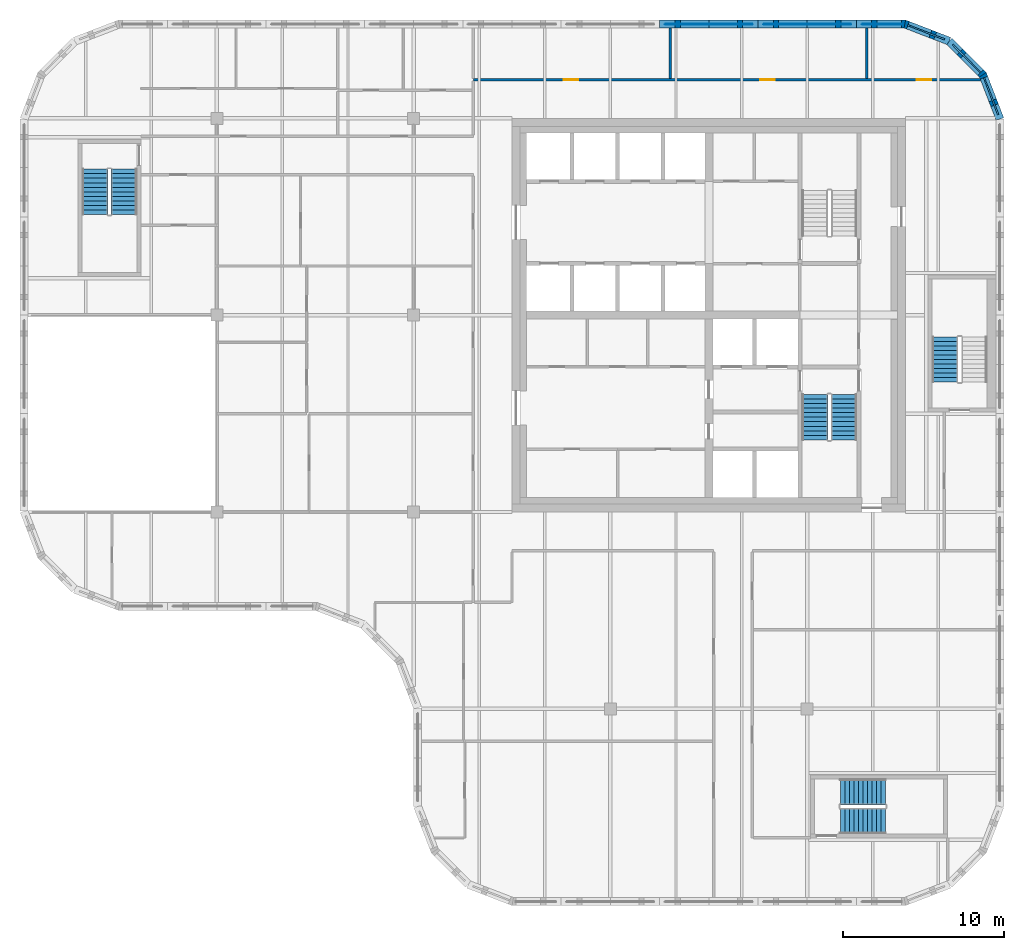
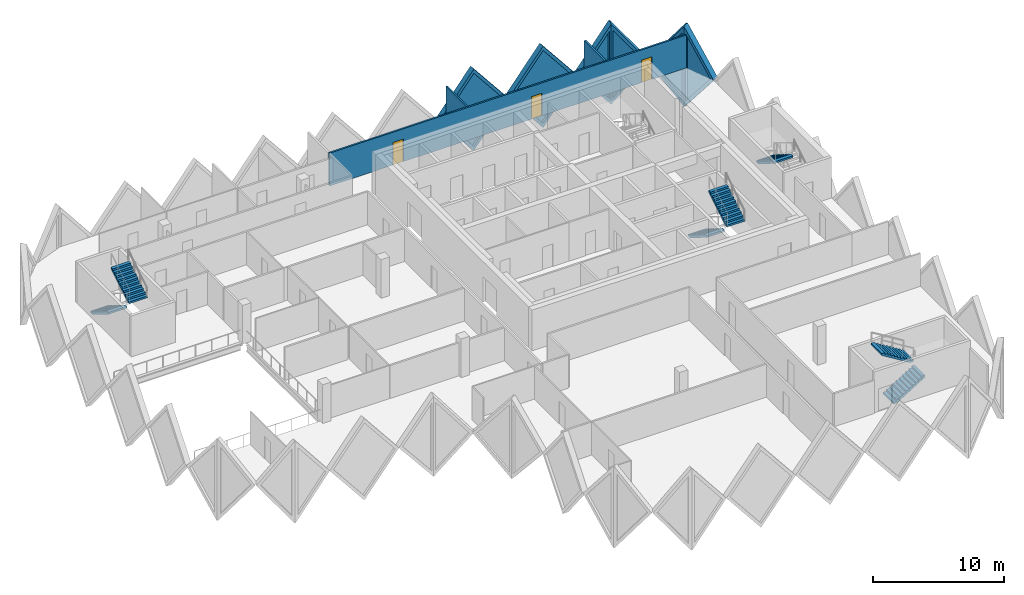
# One storey, part 10 of 12: 9 walls, 7 stair flights, 6 plates, 3 doors, 9 openings, 4 elements without a shape of their own.
"""IFC4 building model written with IfcOpenShell, lengths in metres."""

from ifc_helpers import new_model, si_unit, direction, frame, frame_2d, origin, place, context, subcontext, project, spatial, polyline, rectangle, outline, extrude, faceted_brep, source, transform, mapped, material, layer, layer_set, type_object, element, fill, aggregate, save


model = new_model("IFC4")

# Units and contexts
model_context = context("Model", 3, precision=1e-05, world=origin(), true_north=direction((0.0, 1.0)))
body_context = subcontext(model_context, "Body", "Model", "MODEL_VIEW")
ifc_project = project(units=[si_unit("LENGTHUNIT", "METRE"), si_unit("AREAUNIT", "SQUARE_METRE"), si_unit("VOLUMEUNIT", "CUBIC_METRE"), si_unit("PLANEANGLEUNIT", "RADIAN"), si_unit("MASSUNIT", "GRAM", prefix="KILO")], contexts=[model_context])

# Site, building, storey
site_placement = place(None, origin())
site = spatial("IfcSite", under=ifc_project, at=site_placement, CompositionType="ELEMENT")
building_placement = place(site_placement, origin())
building = spatial("IfcBuilding", under=site, at=building_placement, Name="Tessera Gate Towers", CompositionType="ELEMENT")
storey_placement = place(building_placement, frame((0.0, 0.0, 220.699951171875)))
storey = spatial("IfcBuildingStorey", under=building, at=storey_placement, Name="L55", CompositionType="ELEMENT", Elevation=220.699951171875)

# Wall, openings, doors
ifc_material_1 = material(Name="Gypsum board on steel studs, mineral wool", Category="steel")
ifc_layer_1 = layer(ifc_material_1, 0.14990234375)
ifc_layer_set_1 = layer_set([ifc_layer_1], Name="CORRIDOR WALL 150")
wall_type_1 = type_object("IfcWallType", Name="CORRIDOR WALL 150", PredefinedType="PARTITIONING", material=ifc_layer_set_1)
wall_1_placement = place(storey_placement, frame((28.10009765625, 51.199951171875, 0.0), z_axis=(0.0, 0.0, 1.0), x_axis=(1.0, 0.0, 0.0)))
wall_1 = element("IfcWall", 1, at=wall_1_placement, inside=storey, type_object=wall_type_1, Name="T1-L55-PW-052", PredefinedType="PARTITIONING", context=body_context, shape_type="SweptSolid", body=[
    extrude(rectangle(XDim=31.438232421875, YDim=0.14990234375, at=frame_2d((15.71923828125, 0.0))), origin(), (0.0, 0.0, 1.0), 3.067138671875),
])
shared_shape_1 = source(origin(), body_context, "Body", "SweptSolid", [
    extrude(rectangle(XDim=0.89990234375, YDim=2.10009765625, at=frame_2d((0.449951171875, 1.050048828125))), frame((0.0, 0.0849609375, 0.0), z_axis=(0.0, -1.0, 0.0), x_axis=(1.0, 0.0, 0.0)), (0.0, 0.0, 1.0), 0.169921875),
])
opening_1_placement = place(wall_1_placement, frame((27.5009765625, 0.0, 0.0)))
opening_1 = element("IfcOpeningElement", 2, at=opening_1_placement, cuts=wall_1, Name="Opening D890FD60-A20-05", PredefinedType="OPENING", context=body_context, shape_type="MappedRepresentation", body=[
    mapped(shared_shape_1, transform((0.0, 0.0, 0.0), scale=1.0)),
])
opening_2_placement = place(wall_1_placement, frame((5.60009765625, 0.0, 0.0)))
opening_2 = element("IfcOpeningElement", 3, at=opening_2_placement, cuts=wall_1, Name="Opening D890FD60-A20-09", PredefinedType="OPENING", context=body_context, shape_type="MappedRepresentation", body=[
    mapped(shared_shape_1, transform((0.0, 0.0, 0.0), scale=1.0)),
])
opening_3_placement = place(wall_1_placement, frame((17.800048828125, 0.0, 0.0)))
opening_3 = element("IfcOpeningElement", 4, at=opening_3_placement, cuts=wall_1, Name="Opening D890FD60-A20-11", PredefinedType="OPENING", context=body_context, shape_type="MappedRepresentation", body=[
    mapped(shared_shape_1, transform((0.0, 0.0, 0.0), scale=1.0)),
])
ifc_material_2 = material(Name="Timber door leaf in steel frame", Category="steel")
door_type = type_object("IfcDoorType", Name="CORRIDOR DOOR 900 FD60", OperationType="NOTDEFINED", PredefinedType="DOOR", material=ifc_material_2)
shared_shape_2 = source(origin(), body_context, "Body", "SweptSolid", [
    extrude(rectangle(XDim=0.89990234375, YDim=2.10009765625, at=frame_2d((0.449951171875, 1.050048828125))), frame((0.0, 0.02490234375, 0.0), z_axis=(0.0, -1.0, 0.0), x_axis=(1.0, 0.0, 0.0)), (0.0, 0.0, 1.0), 0.050048828125),
])
door_1_placement = place(opening_1_placement, origin())
door_1 = element("IfcDoor", 5, at=door_1_placement, inside=storey, type_object=door_type, Name="T1-L55-PD-017", OperationType="SINGLE_SWING_LEFT", OverallHeight=2.10009765625, OverallWidth=0.89990234375, PredefinedType="DOOR", context=body_context, shape_type="MappedRepresentation", body=[
    mapped(shared_shape_2, transform((0.0, 0.0, 0.0), scale=1.0)),
])
fill(opening_1, door_1)
door_2_placement = place(opening_2_placement, origin())
door_2 = element("IfcDoor", 6, at=door_2_placement, inside=storey, type_object=door_type, Name="T1-L55-PD-024", OperationType="SINGLE_SWING_LEFT", OverallHeight=2.10009765625, OverallWidth=0.89990234375, PredefinedType="DOOR", context=body_context, shape_type="MappedRepresentation", body=[
    mapped(shared_shape_2, transform((0.0, 0.0, 0.0), scale=1.0)),
])
fill(opening_2, door_2)
door_3_placement = place(opening_3_placement, origin())
door_3 = element("IfcDoor", 7, at=door_3_placement, inside=storey, type_object=door_type, Name="T1-L55-PD-026", OperationType="SINGLE_SWING_LEFT", OverallHeight=2.10009765625, OverallWidth=0.89990234375, PredefinedType="DOOR", context=body_context, shape_type="MappedRepresentation", body=[
    mapped(shared_shape_2, transform((0.0, 0.0, 0.0), scale=1.0)),
])
fill(opening_3, door_3)

# Walls
ifc_material_3 = material(Name="Gypsum board on steel studs, mineral wool", Category="steel")
ifc_layer_2 = layer(ifc_material_3, 0.14990234375)
ifc_layer_set_2 = layer_set([ifc_layer_2], Name="TENANCY WALL 150")
wall_type_2 = type_object("IfcWallType", Name="TENANCY WALL 150", PredefinedType="PARTITIONING", material=ifc_layer_set_2)
for number, where, z_axis, x_axis, name in (
    (8, (40.300048828125, 51.27587890625, 0.0), (0.0, 0.0, 1.0), (0.0, 1.0, 0.0), "T1-L55-PW-054"),
    (9, (52.5, 51.27587890625, 0.0), (0.0, 0.0, 1.0), (0.0, 1.0, 0.0), "T1-L55-PW-055"),
):
    element("IfcWall", number, at=place(storey_placement, frame(where, z_axis=z_axis, x_axis=x_axis)), inside=storey, type_object=wall_type_2, Name=name, PredefinedType="PARTITIONING", context=body_context, shape_type="SweptSolid", body=[
        extrude(rectangle(XDim=3.1240234375, YDim=0.14990234375, at=frame_2d((1.56201171875, 0.0))), origin(), (0.0, 0.0, 1.0), 3.067138671875),
    ])

# Wall, opening, plate
ifc_material_4 = material(Name="Precast concrete C60/75 white", Category="concrete")
ifc_layer_3 = layer(ifc_material_4, 0.5)
ifc_layer_set_3 = layer_set([ifc_layer_3], Name="TS1 tessera")
wall_type_3 = type_object("IfcWallType", Name="TS1 tessera", PredefinedType="SOLIDWALL", material=ifc_layer_set_3)
shared_shape_3 = source(origin(), body_context, "Body", "SweptSolid", [
    extrude(outline(polyline([(3.050048828125, 0.0), (6.10009765625, 3.800048828125), (3.050048828125, 7.60009765625), (0.0, 3.800048828125), (3.050048828125, 0.0)])), frame((0.0, 0.25, 0.0), z_axis=(0.0, -1.0, 0.0), x_axis=(1.0, 0.0, 0.0)), (0.0, 0.0, 1.0), 0.5),
])
wall_2_placement = place(storey_placement, frame((51.85009765625, 54.64990234375, -3.800048828125), z_axis=(0.0, 0.0, 1.0), x_axis=(-1.0, 0.0, 0.0)))
wall_2 = element("IfcWall", 10, at=wall_2_placement, inside=storey, type_object=wall_type_3, Name="Precast tessera T1 TS1-0976", PredefinedType="SOLIDWALL", context=body_context, shape_type="MappedRepresentation", body=[
    mapped(shared_shape_3, transform((0.0, 0.0, 0.0), scale=1.0)),
])
shared_shape_4 = source(origin(), body_context, "Body", "SweptSolid", [
    extrude(outline(polyline([(3.050048828125, 0.3994140625), (5.779541015625, 3.800048828125), (3.050048828125, 7.20068359375), (0.320556640625, 3.800048828125), (3.050048828125, 0.3994140625)])), frame((0.0, 0.260009765625, 0.0), z_axis=(0.0, -1.0, 0.0), x_axis=(1.0, 0.0, 0.0)), (0.0, 0.0, 1.0), 0.52001953125),
])
opening_4_placement = place(wall_2_placement, origin())
opening_4 = element("IfcOpeningElement", 11, at=opening_4_placement, cuts=wall_2, Name="Opening T1-PL2-1994", PredefinedType="OPENING", context=body_context, shape_type="MappedRepresentation", body=[
    mapped(shared_shape_4, transform((0.0, 0.0, 0.0), scale=1.0)),
])
ifc_material_5 = material(Name="Low-e laminated glass", Category="glass")
ifc_layer_4 = layer(ifc_material_5, 0.06005859375)
ifc_layer_set_4 = layer_set([ifc_layer_4], Name="PL2 rhombic pane")
plate_type = type_object("IfcPlateType", Name="PL2 rhombic pane", PredefinedType="SHEET", material=ifc_layer_set_4)
shared_shape_5 = source(origin(), body_context, "Body", "SweptSolid", [
    extrude(outline(polyline([(3.050048828125, 0.3994140625), (5.779541015625, 3.800048828125), (3.050048828125, 7.20068359375), (0.320556640625, 3.800048828125), (3.050048828125, 0.3994140625)])), frame((0.0, 0.030029296875, 0.0), z_axis=(0.0, -1.0, 0.0), x_axis=(1.0, 0.0, 0.0)), (0.0, 0.0, 1.0), 0.06005859375),
])
plate_1_placement = place(opening_4_placement, origin())
plate_1 = element("IfcPlate", 12, at=plate_1_placement, inside=storey, type_object=plate_type, Name="Glass pane T1 PL2-1994", PredefinedType="SHEET", context=body_context, shape_type="MappedRepresentation", body=[
    mapped(shared_shape_5, transform((0.0, 0.0, 0.0), scale=1.0)),
])
fill(opening_4, plate_1)

wall_3_placement = place(storey_placement, frame((45.75, 54.64990234375, -3.800048828125), z_axis=(0.0, 0.0, 1.0), x_axis=(-1.0, 0.0, 0.0)))
wall_3 = element("IfcWall", 13, at=wall_3_placement, inside=storey, type_object=wall_type_3, Name="Precast tessera T1 TS1-0977", PredefinedType="SOLIDWALL", context=body_context, shape_type="MappedRepresentation", body=[
    mapped(shared_shape_3, transform((0.0, 0.0, 0.0), scale=1.0)),
])
opening_5_placement = place(wall_3_placement, origin())
opening_5 = element("IfcOpeningElement", 14, at=opening_5_placement, cuts=wall_3, Name="Opening T1-PL2-1995", PredefinedType="OPENING", context=body_context, shape_type="MappedRepresentation", body=[
    mapped(shared_shape_4, transform((0.0, 0.0, 0.0), scale=1.0)),
])
plate_2_placement = place(opening_5_placement, origin())
plate_2 = element("IfcPlate", 15, at=plate_2_placement, inside=storey, type_object=plate_type, Name="Glass pane T1 PL2-1995", PredefinedType="SHEET", context=body_context, shape_type="MappedRepresentation", body=[
    mapped(shared_shape_5, transform((0.0, 0.0, 0.0), scale=1.0)),
])
fill(opening_5, plate_2)

ifc_material_6 = material(Name="Precast concrete C60/75 white", Category="concrete")
ifc_layer_5 = layer(ifc_material_6, 0.5)
ifc_layer_set_5 = layer_set([ifc_layer_5], Name="TS3 corner tessera")
wall_type_4 = type_object("IfcWallType", Name="TS3 corner tessera", PredefinedType="SOLIDWALL", material=ifc_layer_set_5)
shared_shape_6 = source(origin(), body_context, "Body", "Brep", [
    faceted_brep([(2.950439453125, -0.25, 0.0), (2.9970703125, -0.25, 0.05908203125), (2.9970703125, -0.25, 7.541015625), (2.950439453125, -0.25, 7.60009765625), (0.0, -0.25, 3.800048828125), (0.052978515625, 0.25, 3.8681640625), (2.904052734375, 0.25, 7.540283203125), (2.904052734375, 0.25, 0.059814453125), (0.052978515625, 0.25, 3.73193359375), (2.950439453125, 0.00048828125, 0.0), (2.950439453125, 0.00048828125, 7.60009765625), (0.0, 0.0, 3.800048828125)], [[[0, 1, 2, 3, 4]], [[5, 6, 7, 8]], [[1, 0, 9]], [[10, 3, 2]], [[6, 5, 11, 4, 3, 10]], [[8, 7, 9, 0, 4, 11]], [[8, 11, 5]], [[1, 9, 7, 6, 10, 2]]]),
])
wall_4_placement = place(storey_placement, frame((57.606201171875, 53.588134765625, -3.800048828125), z_axis=(0.0, 0.0, 1.0), x_axis=(-0.932990326376, 0.359901446078, 0.0)))
wall_4 = element("IfcWall", 16, at=wall_4_placement, inside=storey, type_object=wall_type_4, Name="Precast corner tessera T1 TS3-1281", PredefinedType="SOLIDWALL", context=body_context, shape_type="MappedRepresentation", body=[
    mapped(shared_shape_6, transform((0.0, 0.0, 0.0), scale=1.0)),
])
shared_shape_7 = source(origin(), body_context, "Body", "SweptSolid", [
    extrude(outline(polyline([(2.75048828125, 6.934814453125), (0.31640625, 3.800048828125), (2.75048828125, 0.665283203125), (2.75048828125, 6.934814453125)])), frame((0.0, 0.260009765625, 0.0), z_axis=(0.0, -1.0, 0.0), x_axis=(1.0, 0.0, 0.0)), (0.0, 0.0, 1.0), 0.52001953125),
])
opening_6_placement = place(wall_4_placement, origin())
opening_6 = element("IfcOpeningElement", 17, at=opening_6_placement, cuts=wall_4, Name="Opening T1-PL2-1992", PredefinedType="OPENING", context=body_context, shape_type="MappedRepresentation", body=[
    mapped(shared_shape_7, transform((0.0, 0.0, 0.0), scale=1.0)),
])
shared_shape_8 = source(origin(), body_context, "Body", "SweptSolid", [
    extrude(outline(polyline([(2.75048828125, 6.934814453125), (0.31640625, 3.800048828125), (2.75048828125, 0.665283203125), (2.75048828125, 6.934814453125)])), frame((0.0, 0.030029296875, 0.0), z_axis=(0.0, -1.0, 0.0), x_axis=(1.0, 0.0, 0.0)), (0.0, 0.0, 1.0), 0.06005859375),
])
plate_3_placement = place(opening_6_placement, origin())
plate_3 = element("IfcPlate", 18, at=plate_3_placement, inside=storey, type_object=plate_type, Name="Glass pane T1 PL2-1992", PredefinedType="SHEET", context=body_context, shape_type="MappedRepresentation", body=[
    mapped(shared_shape_8, transform((0.0, 0.0, 0.0), scale=1.0)),
])
fill(opening_6, plate_3)

shared_shape_9 = source(origin(), body_context, "Body", "Brep", [
    faceted_brep([(0.046630859375, -0.25, 0.0), (3.050048828125, -0.25, 3.800048828125), (0.046630859375, -0.25, 7.60009765625), (0.0, -0.25, 7.5400390625), (0.0, -0.25, 0.06005859375), (0.09326171875, 0.25, 7.541259765625), (3.050048828125, 0.25, 3.800048828125), (0.09326171875, 0.25, 0.058837890625), (0.046630859375, 0.0, 0.0), (0.046630859375, 0.0, 7.60009765625)], [[[0, 1, 2, 3, 4]], [[5, 6, 7]], [[7, 6, 1, 0, 8]], [[6, 5, 9, 2, 1]], [[3, 2, 9]], [[8, 0, 4]], [[7, 8, 4, 3, 9, 5]]]),
])
wall_5_placement = place(storey_placement, frame((54.900146484375, 54.64990234375, -3.800048828125), z_axis=(0.0, 0.0, 1.0), x_axis=(-1.0, 0.0, 0.0)))
wall_5 = element("IfcWall", 19, at=wall_5_placement, inside=storey, type_object=wall_type_4, Name="Precast corner tessera T1 TS3-1282", PredefinedType="SOLIDWALL", context=body_context, shape_type="MappedRepresentation", body=[
    mapped(shared_shape_9, transform((0.0, 0.0, 0.0), scale=1.0)),
])
shared_shape_10 = source(origin(), body_context, "Body", "SweptSolid", [
    extrude(outline(polyline([(0.24658203125, 0.65625), (2.7314453125, 3.800048828125), (0.24658203125, 6.94384765625), (0.24658203125, 0.65625)])), frame((0.0, 0.260009765625, 0.0), z_axis=(0.0, -1.0, 0.0), x_axis=(1.0, 0.0, 0.0)), (0.0, 0.0, 1.0), 0.52001953125),
])
opening_7_placement = place(wall_5_placement, origin())
opening_7 = element("IfcOpeningElement", 20, at=opening_7_placement, cuts=wall_5, Name="Opening T1-PL2-1993", PredefinedType="OPENING", context=body_context, shape_type="MappedRepresentation", body=[
    mapped(shared_shape_10, transform((0.0, 0.0, 0.0), scale=1.0)),
])
shared_shape_11 = source(origin(), body_context, "Body", "SweptSolid", [
    extrude(outline(polyline([(0.24658203125, 0.65625), (2.7314453125, 3.800048828125), (0.24658203125, 6.94384765625), (0.24658203125, 0.65625)])), frame((0.0, 0.030029296875, 0.0), z_axis=(0.0, -1.0, 0.0), x_axis=(1.0, 0.0, 0.0)), (0.0, 0.0, 1.0), 0.06005859375),
])
plate_4_placement = place(opening_7_placement, origin())
plate_4 = element("IfcPlate", 21, at=plate_4_placement, inside=storey, type_object=plate_type, Name="Glass pane T1 PL2-1993", PredefinedType="SHEET", context=body_context, shape_type="MappedRepresentation", body=[
    mapped(shared_shape_11, transform((0.0, 0.0, 0.0), scale=1.0)),
])
fill(opening_7, plate_4)

shared_shape_12 = source(origin(), body_context, "Body", "Brep", [
    faceted_brep([(2.950439453125, -0.25, 0.0), (3.00341796875, -0.25, 0.068359375), (3.00341796875, -0.25, 7.53173828125), (2.950439453125, -0.25, 7.60009765625), (0.0, -0.25, 3.800048828125), (0.046630859375, 0.25, 3.860107421875), (2.897705078125, 0.25, 7.531982421875), (2.897705078125, 0.25, 0.068115234375), (0.046630859375, 0.25, 3.739990234375), (2.950439453125, 0.00048828125, 0.0), (2.950439453125, 0.00048828125, 7.60009765625), (0.0, 0.0, 3.800048828125)], [[[0, 1, 2, 3, 4]], [[5, 6, 7, 8]], [[1, 0, 9]], [[10, 3, 2]], [[6, 5, 11, 4, 3, 10]], [[8, 7, 9, 0, 4, 11]], [[8, 11, 5]], [[1, 9, 7, 6, 10, 2]]]),
])
wall_6_placement = place(storey_placement, frame((60.75, 48.75341796875, -3.800048828125), z_axis=(0.0, 0.0, 1.0), x_axis=(-0.35992665181, 0.932980602862, 0.0)))
wall_6 = element("IfcWall", 22, at=wall_6_placement, inside=storey, type_object=wall_type_4, Name="Precast corner tessera T1 TS3-1279", PredefinedType="SOLIDWALL", context=body_context, shape_type="MappedRepresentation", body=[
    mapped(shared_shape_12, transform((0.0, 0.0, 0.0), scale=1.0)),
])
opening_8_placement = place(wall_6_placement, origin())
opening_8 = element("IfcOpeningElement", 23, at=opening_8_placement, cuts=wall_6, Name="Opening T1-PL2-1990", PredefinedType="OPENING", context=body_context, shape_type="MappedRepresentation", body=[
    mapped(shared_shape_7, transform((0.0, 0.0, 0.0), scale=1.0)),
])
plate_5_placement = place(opening_8_placement, origin())
plate_5 = element("IfcPlate", 24, at=plate_5_placement, inside=storey, type_object=plate_type, Name="Glass pane T1 PL2-1990", PredefinedType="SHEET", context=body_context, shape_type="MappedRepresentation", body=[
    mapped(shared_shape_8, transform((0.0, 0.0, 0.0), scale=1.0)),
])
fill(opening_8, plate_5)

shared_shape_13 = source(origin(), body_context, "Body", "Brep", [
    faceted_brep([(0.052978515625, -0.25, 0.0), (2.9970703125, -0.25, 3.800048828125), (0.052978515625, -0.25, 7.60009765625), (0.0, -0.25, 7.531982421875), (0.0, -0.25, 0.068115234375), (0.10595703125, 0.25, 7.53173828125), (2.944091796875, 0.25, 3.8681640625), (2.944091796875, 0.25, 3.73193359375), (0.10595703125, 0.25, 0.068359375), (2.9970703125, 0.000244140625, 3.800048828125), (0.052978515625, 0.0, 0.0), (0.052978515625, 0.0, 7.60009765625)], [[[0, 1, 2, 3, 4]], [[5, 6, 7, 8]], [[8, 7, 9, 1, 0, 10]], [[6, 5, 11, 2, 1, 9]], [[3, 2, 11]], [[10, 0, 4]], [[8, 10, 4, 3, 11, 5]], [[9, 7, 6]]]),
])
wall_7_placement = place(storey_placement, frame((59.7255859375, 51.46875, -3.800048828125), z_axis=(0.0, 0.0, 1.0), x_axis=(-0.707106781187, 0.707106781187, 0.0)))
wall_7 = element("IfcWall", 25, at=wall_7_placement, inside=storey, type_object=wall_type_4, Name="Precast corner tessera T1 TS3-1280", PredefinedType="SOLIDWALL", context=body_context, shape_type="MappedRepresentation", body=[
    mapped(shared_shape_13, transform((0.0, 0.0, 0.0), scale=1.0)),
])
shared_shape_14 = source(origin(), body_context, "Body", "SweptSolid", [
    extrude(outline(polyline([(0.2529296875, 0.66650390625), (2.680908203125, 3.800048828125), (0.2529296875, 6.933837890625), (0.2529296875, 0.66650390625)])), frame((0.0, 0.260009765625, 0.0), z_axis=(0.0, -1.0, 0.0), x_axis=(1.0, 0.0, 0.0)), (0.0, 0.0, 1.0), 0.52001953125),
])
opening_9_placement = place(wall_7_placement, origin())
opening_9 = element("IfcOpeningElement", 26, at=opening_9_placement, cuts=wall_7, Name="Opening T1-PL2-1991", PredefinedType="OPENING", context=body_context, shape_type="MappedRepresentation", body=[
    mapped(shared_shape_14, transform((0.0, 0.0, 0.0), scale=1.0)),
])
shared_shape_15 = source(origin(), body_context, "Body", "SweptSolid", [
    extrude(outline(polyline([(0.2529296875, 0.66650390625), (2.680908203125, 3.800048828125), (0.2529296875, 6.933837890625), (0.2529296875, 0.66650390625)])), frame((0.0, 0.030029296875, 0.0), z_axis=(0.0, -1.0, 0.0), x_axis=(1.0, 0.0, 0.0)), (0.0, 0.0, 1.0), 0.06005859375),
])
plate_6_placement = place(opening_9_placement, origin())
plate_6 = element("IfcPlate", 27, at=plate_6_placement, inside=storey, type_object=plate_type, Name="Glass pane T1 PL2-1991", PredefinedType="SHEET", context=body_context, shape_type="MappedRepresentation", body=[
    mapped(shared_shape_15, transform((0.0, 0.0, 0.0), scale=1.0)),
])
fill(opening_9, plate_6)

# Stair, stair flights
ifc_material_7 = material(Name="Concrete C40/50", Category="concrete")
stair_type_1 = type_object("IfcStairType", Name="EXIT STAIR ST1 1600", PredefinedType="HALF_TURN_STAIR", material=ifc_material_7)
stair_1_placement = place(storey_placement, origin())
stair_1 = element("IfcStair", 28, at=stair_1_placement, inside=storey, type_object=stair_type_1, Name="L55 Protected Exit Stair ST1", PredefinedType="HALF_TURN_STAIR")
ifc_material_8 = material(Name="Concrete C40/50", Category="concrete")
stair_flight_type_1 = type_object("IfcStairFlightType", Name="EXIT STAIR FLIGHT ST1 1600", PredefinedType="STRAIGHT", material=ifc_material_8)
stair_flight_1_placement = place(storey_placement, frame((49.27490234375, 31.675048828125, 0.0), z_axis=(0.0, 0.0, 1.0), x_axis=(0.0, -1.0, 0.0)))
stair_flight_1 = element("IfcStairFlight", 29, at=stair_flight_1_placement, type_object=stair_flight_type_1, Name="ST1 flight 1", NumberOfRisers=11, NumberOfTreads=10, PredefinedType="STRAIGHT", RiserHeight=0.172727273, TreadLength=0.28, context=body_context, shape_type="SweptSolid", body=[
    extrude(outline(polyline([(0.0, 0.0), (0.0, 0.172607421875), (0.280029296875, 0.172607421875), (0.280029296875, 0.345458984375), (0.56005859375, 0.345458984375), (0.56005859375, 0.51806640625), (0.840087890625, 0.51806640625), (0.840087890625, 0.69091796875), (1.1201171875, 0.69091796875), (1.1201171875, 0.863525390625), (1.39990234375, 0.863525390625), (1.39990234375, 1.036376953125), (1.679931640625, 1.036376953125), (1.679931640625, 1.208984375), (1.9599609375, 1.208984375), (1.9599609375, 1.3818359375), (2.239990234375, 1.3818359375), (2.239990234375, 1.554443359375), (2.52001953125, 1.554443359375), (2.52001953125, 1.727294921875), (2.800048828125, 1.727294921875), (2.800048828125, 1.89990234375), (2.800048828125, 1.551025390625), (0.285400390625, 0.0), (0.0, 0.0)])), frame((0.0, 0.800048828125, 0.0), z_axis=(0.0, -1.0, 0.0), x_axis=(1.0, 0.0, 0.0)), (0.0, 0.0, 1.0), 1.60009765625),
])
stair_flight_2_placement = place(storey_placement, frame((51.074951171875, 28.875, 1.900146484375), z_axis=(0.0, 0.0, 1.0), x_axis=(0.0, 1.0, 0.0)))
stair_flight_2 = element("IfcStairFlight", 30, at=stair_flight_2_placement, type_object=stair_flight_type_1, Name="ST1 flight 2", NumberOfRisers=11, NumberOfTreads=10, PredefinedType="STRAIGHT", RiserHeight=0.172727273, TreadLength=0.28, context=body_context, shape_type="SweptSolid", body=[
    extrude(outline(polyline([(0.0, 0.0), (0.0, 0.172607421875), (0.280029296875, 0.172607421875), (0.280029296875, 0.345458984375), (0.56005859375, 0.345458984375), (0.56005859375, 0.51806640625), (0.840087890625, 0.51806640625), (0.840087890625, 0.69091796875), (1.1201171875, 0.69091796875), (1.1201171875, 0.863525390625), (1.39990234375, 0.863525390625), (1.39990234375, 1.036376953125), (1.679931640625, 1.036376953125), (1.679931640625, 1.208984375), (1.9599609375, 1.208984375), (1.9599609375, 1.3818359375), (2.239990234375, 1.3818359375), (2.239990234375, 1.554443359375), (2.52001953125, 1.554443359375), (2.52001953125, 1.727294921875), (2.800048828125, 1.727294921875), (2.800048828125, 1.89990234375), (2.800048828125, 1.551025390625), (0.285400390625, 0.0), (0.0, 0.0)])), frame((0.0, 0.800048828125, 0.0), z_axis=(0.0, -1.0, 0.0), x_axis=(1.0, 0.0, 0.0)), (0.0, 0.0, 1.0), 1.60009765625),
])
aggregate(stair_1, [stair_flight_1, stair_flight_2])

ifc_material_9 = material(Name="Concrete C40/50", Category="concrete")
stair_type_2 = type_object("IfcStairType", Name="EXIT STAIR ST3 1600", PredefinedType="HALF_TURN_STAIR", material=ifc_material_9)
stair_2_placement = place(storey_placement, origin())
stair_2 = element("IfcStair", 31, at=stair_2_placement, inside=storey, type_object=stair_type_2, Name="L55 West Exit Stair ST3", PredefinedType="HALF_TURN_STAIR")
ifc_material_10 = material(Name="Concrete C40/50", Category="concrete")
stair_flight_type_2 = type_object("IfcStairFlightType", Name="EXIT STAIR FLIGHT ST3 1600", PredefinedType="STRAIGHT", material=ifc_material_10)
stair_flight_3_placement = place(storey_placement, frame((4.64990234375, 45.64990234375, 0.0), z_axis=(0.0, 0.0, 1.0), x_axis=(0.0, -1.0, 0.0)))
stair_flight_3 = element("IfcStairFlight", 32, at=stair_flight_3_placement, type_object=stair_flight_type_2, Name="ST3 flight 1", NumberOfRisers=11, NumberOfTreads=10, PredefinedType="STRAIGHT", RiserHeight=0.172727273, TreadLength=0.28, context=body_context, shape_type="SweptSolid", body=[
    extrude(outline(polyline([(0.0, 0.0), (0.0, 0.172607421875), (0.280029296875, 0.172607421875), (0.280029296875, 0.345458984375), (0.56005859375, 0.345458984375), (0.56005859375, 0.51806640625), (0.840087890625, 0.51806640625), (0.840087890625, 0.69091796875), (1.1201171875, 0.69091796875), (1.1201171875, 0.863525390625), (1.39990234375, 0.863525390625), (1.39990234375, 1.036376953125), (1.679931640625, 1.036376953125), (1.679931640625, 1.208984375), (1.9599609375, 1.208984375), (1.9599609375, 1.3818359375), (2.239990234375, 1.3818359375), (2.239990234375, 1.554443359375), (2.52001953125, 1.554443359375), (2.52001953125, 1.727294921875), (2.800048828125, 1.727294921875), (2.800048828125, 1.89990234375), (2.800048828125, 1.551025390625), (0.285400390625, 0.0), (0.0, 0.0)])), frame((0.0, 0.800048828125, 0.0), z_axis=(0.0, -1.0, 0.0), x_axis=(1.0, 0.0, 0.0)), (0.0, 0.0, 1.0), 1.60009765625),
])
stair_flight_4_placement = place(storey_placement, frame((6.449951171875, 42.85009765625, 1.900146484375), z_axis=(0.0, 0.0, 1.0), x_axis=(0.0, 1.0, 0.0)))
stair_flight_4 = element("IfcStairFlight", 33, at=stair_flight_4_placement, type_object=stair_flight_type_2, Name="ST3 flight 2", NumberOfRisers=11, NumberOfTreads=10, PredefinedType="STRAIGHT", RiserHeight=0.172727273, TreadLength=0.28, context=body_context, shape_type="SweptSolid", body=[
    extrude(outline(polyline([(0.0, 0.0), (0.0, 0.172607421875), (0.280029296875, 0.172607421875), (0.280029296875, 0.345458984375), (0.56005859375, 0.345458984375), (0.56005859375, 0.51806640625), (0.840087890625, 0.51806640625), (0.840087890625, 0.69091796875), (1.1201171875, 0.69091796875), (1.1201171875, 0.863525390625), (1.39990234375, 0.863525390625), (1.39990234375, 1.036376953125), (1.679931640625, 1.036376953125), (1.679931640625, 1.208984375), (1.9599609375, 1.208984375), (1.9599609375, 1.3818359375), (2.239990234375, 1.3818359375), (2.239990234375, 1.554443359375), (2.52001953125, 1.554443359375), (2.52001953125, 1.727294921875), (2.800048828125, 1.727294921875), (2.800048828125, 1.89990234375), (2.800048828125, 1.551025390625), (0.285400390625, 0.0), (0.0, 0.0)])), frame((0.0, 0.800048828125, 0.0), z_axis=(0.0, -1.0, 0.0), x_axis=(1.0, 0.0, 0.0)), (0.0, 0.0, 1.0), 1.60009765625),
])
aggregate(stair_2, [stair_flight_3, stair_flight_4])

ifc_material_11 = material(Name="Concrete C40/50", Category="concrete")
stair_type_3 = type_object("IfcStairType", Name="EXIT STAIR ST4 1600", PredefinedType="HALF_TURN_STAIR", material=ifc_material_11)
stair_3_placement = place(storey_placement, origin())
stair_3 = element("IfcStair", 34, at=stair_3_placement, inside=storey, type_object=stair_type_3, Name="L55 South Exit Stair ST4", PredefinedType="HALF_TURN_STAIR")
ifc_material_12 = material(Name="Concrete C40/50", Category="concrete")
stair_flight_type_3 = type_object("IfcStairFlightType", Name="EXIT STAIR FLIGHT ST4 1600", PredefinedType="STRAIGHT", material=ifc_material_12)
stair_flight_5_placement = place(storey_placement, frame((50.85009765625, 5.25, 0.0), z_axis=(0.0, 0.0, 1.0), x_axis=(1.0, 0.0, 0.0)))
stair_flight_5 = element("IfcStairFlight", 35, at=stair_flight_5_placement, type_object=stair_flight_type_3, Name="ST4 flight 1", NumberOfRisers=11, NumberOfTreads=10, PredefinedType="STRAIGHT", RiserHeight=0.172727273, TreadLength=0.28, context=body_context, shape_type="SweptSolid", body=[
    extrude(outline(polyline([(0.0, 0.0), (0.0, 0.172607421875), (0.280029296875, 0.172607421875), (0.280029296875, 0.345458984375), (0.56005859375, 0.345458984375), (0.56005859375, 0.51806640625), (0.840087890625, 0.51806640625), (0.840087890625, 0.69091796875), (1.1201171875, 0.69091796875), (1.1201171875, 0.863525390625), (1.39990234375, 0.863525390625), (1.39990234375, 1.036376953125), (1.679931640625, 1.036376953125), (1.679931640625, 1.208984375), (1.9599609375, 1.208984375), (1.9599609375, 1.3818359375), (2.239990234375, 1.3818359375), (2.239990234375, 1.554443359375), (2.52001953125, 1.554443359375), (2.52001953125, 1.727294921875), (2.800048828125, 1.727294921875), (2.800048828125, 1.89990234375), (2.800048828125, 1.551025390625), (0.285400390625, 0.0), (0.0, 0.0)])), frame((0.0, 0.800048828125, 0.0), z_axis=(0.0, -1.0, 0.0), x_axis=(1.0, 0.0, 0.0)), (0.0, 0.0, 1.0), 1.60009765625),
])
stair_flight_6_placement = place(storey_placement, frame((53.64990234375, 7.050048828125, 1.900146484375), z_axis=(0.0, 0.0, 1.0), x_axis=(-1.0, 0.0, 0.0)))
stair_flight_6 = element("IfcStairFlight", 36, at=stair_flight_6_placement, type_object=stair_flight_type_3, Name="ST4 flight 2", NumberOfRisers=11, NumberOfTreads=10, PredefinedType="STRAIGHT", RiserHeight=0.172727273, TreadLength=0.28, context=body_context, shape_type="SweptSolid", body=[
    extrude(outline(polyline([(0.0, 0.0), (0.0, 0.172607421875), (0.280029296875, 0.172607421875), (0.280029296875, 0.345458984375), (0.56005859375, 0.345458984375), (0.56005859375, 0.51806640625), (0.840087890625, 0.51806640625), (0.840087890625, 0.69091796875), (1.1201171875, 0.69091796875), (1.1201171875, 0.863525390625), (1.39990234375, 0.863525390625), (1.39990234375, 1.036376953125), (1.679931640625, 1.036376953125), (1.679931640625, 1.208984375), (1.9599609375, 1.208984375), (1.9599609375, 1.3818359375), (2.239990234375, 1.3818359375), (2.239990234375, 1.554443359375), (2.52001953125, 1.554443359375), (2.52001953125, 1.727294921875), (2.800048828125, 1.727294921875), (2.800048828125, 1.89990234375), (2.800048828125, 1.551025390625), (0.285400390625, 0.0), (0.0, 0.0)])), frame((0.0, 0.800048828125, 0.0), z_axis=(0.0, -1.0, 0.0), x_axis=(1.0, 0.0, 0.0)), (0.0, 0.0, 1.0), 1.60009765625),
])
aggregate(stair_3, [stair_flight_5, stair_flight_6])

# Stair, stair flight
ifc_material_13 = material(Name="Concrete C40/50", Category="concrete")
stair_type_4 = type_object("IfcStairType", Name="EXIT STAIR ST5 1600", PredefinedType="HALF_TURN_STAIR", material=ifc_material_13)
stair_4_placement = place(storey_placement, origin())
stair_4 = element("IfcStair", 37, at=stair_4_placement, inside=storey, type_object=stair_type_4, Name="L55 East Exit Stair ST5", PredefinedType="HALF_TURN_STAIR")
ifc_material_14 = material(Name="Concrete C40/50", Category="concrete")
stair_flight_type_4 = type_object("IfcStairFlightType", Name="EXIT STAIR FLIGHT ST5 1600", PredefinedType="STRAIGHT", material=ifc_material_14)
stair_flight_7_placement = place(storey_placement, frame((57.35009765625, 35.25, 1.900146484375), z_axis=(0.0, 0.0, 1.0), x_axis=(0.0, -1.0, 0.0)))
stair_flight_7 = element("IfcStairFlight", 38, at=stair_flight_7_placement, type_object=stair_flight_type_4, Name="ST5 flight 2", NumberOfRisers=11, NumberOfTreads=10, PredefinedType="STRAIGHT", RiserHeight=0.172727273, TreadLength=0.28, context=body_context, shape_type="SweptSolid", body=[
    extrude(outline(polyline([(0.0, 0.0), (0.0, 0.172607421875), (0.280029296875, 0.172607421875), (0.280029296875, 0.345458984375), (0.56005859375, 0.345458984375), (0.56005859375, 0.51806640625), (0.840087890625, 0.51806640625), (0.840087890625, 0.69091796875), (1.1201171875, 0.69091796875), (1.1201171875, 0.863525390625), (1.39990234375, 0.863525390625), (1.39990234375, 1.036376953125), (1.679931640625, 1.036376953125), (1.679931640625, 1.208984375), (1.9599609375, 1.208984375), (1.9599609375, 1.3818359375), (2.239990234375, 1.3818359375), (2.239990234375, 1.554443359375), (2.52001953125, 1.554443359375), (2.52001953125, 1.727294921875), (2.800048828125, 1.727294921875), (2.800048828125, 1.89990234375), (2.800048828125, 1.551025390625), (0.285400390625, 0.0), (0.0, 0.0)])), frame((0.0, 0.800048828125, 0.0), z_axis=(0.0, -1.0, 0.0), x_axis=(1.0, 0.0, 0.0)), (0.0, 0.0, 1.0), 1.60009765625),
])
aggregate(stair_4, [stair_flight_7])

save(model, "model.ifc")
